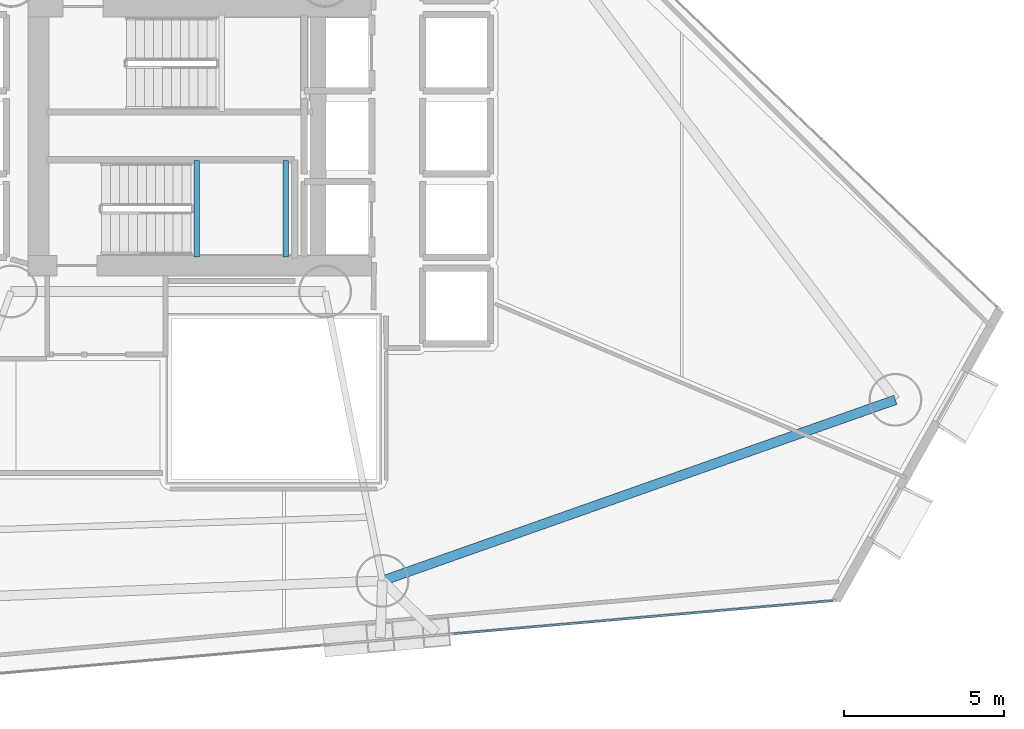
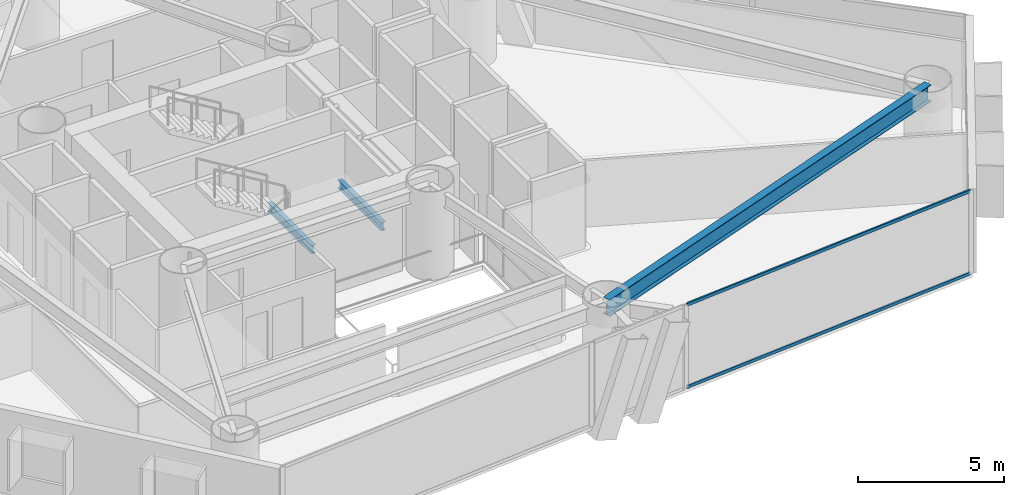
# One storey, part 7 of 23: 3 beams, 2 members, 1 element without a shape of its own.
"""IFC4 building model written with IfcOpenShell, lengths in metres."""

from ifc_helpers import new_model, si_unit, direction, frame, origin, origin_2d, place, context, subcontext, project, spatial, hollow_rectangle, i_section, extrude, material, layer, layer_set, material_profile, profile_set, type_object, element, aggregate, save


model = new_model("IFC4")

# Units and contexts
model_context = context("Model", 3, precision=1e-05, world=origin(), true_north=direction((0.0, 1.0)))
body_context = subcontext(model_context, "Body", "Model", "MODEL_VIEW")
ifc_project = project(units=[si_unit("LENGTHUNIT", "METRE"), si_unit("AREAUNIT", "SQUARE_METRE"), si_unit("VOLUMEUNIT", "CUBIC_METRE"), si_unit("PLANEANGLEUNIT", "RADIAN"), si_unit("MASSUNIT", "GRAM", prefix="KILO")], contexts=[model_context])

# Site, building, storey
site_placement = place(None, origin())
site = spatial("IfcSite", under=ifc_project, at=site_placement, CompositionType="ELEMENT")
building_placement = place(site_placement, origin())
building = spatial("IfcBuilding", under=site, at=building_placement, Name="Qianvela Tower", CompositionType="ELEMENT")
storey_placement = place(building_placement, frame((0.0, 0.0, 63.60009765625)))
storey = spatial("IfcBuildingStorey", under=building, at=storey_placement, Name="L15", CompositionType="ELEMENT", Elevation=63.60009765625)

# Beams
ifc_material_1 = material(Name="Steel Q355B", Category="steel")
ifc_material_profile_1 = material_profile(ifc_material_1, i_section(OverallWidth=0.175048828125, OverallDepth=0.35009765625, WebThickness=0.007080078125, FlangeThickness=0.010986328125, at=origin_2d()), Name="HN350x175x7x11")
ifc_profile_set_1 = profile_set([ifc_material_profile_1], Name="Steel Q355B")
beam_type_1 = type_object("IfcBeamType", Name="BM-HN350-JOIST", PredefinedType="JOIST", material=ifc_profile_set_1)
for number, where, z_axis, x_axis, name in (
    (1, (34.39990234375, 24.919921875, 1.474853515625), (0.0, 1.0, 0.0), (-1.0, 0.0, 0.0), "L15 Stair ST-2 Landing Support Beam 1.1"),
    (2, (37.169921875, 24.919921875, 1.474853515625), (0.0, 1.0, 0.0), (-1.0, 0.0, 0.0), "L15 Stair ST-2 Landing Support Beam 1.2"),
):
    element("IfcBeam", number, at=place(storey_placement, frame(where, z_axis=z_axis, x_axis=x_axis)), inside=storey, type_object=beam_type_1, Name=name, PredefinedType="JOIST", context=body_context, shape_type="SweptSolid", body=[
        extrude(i_section(OverallWidth=0.175048828125, OverallDepth=0.35009765625, WebThickness=0.007080078125, FlangeThickness=0.010986328125, at=origin_2d()), origin(), (0.0, 0.0, 1.0), 3.02001953125),
    ])
ifc_material_2 = material(Name="Steel Q355B", Category="steel")
ifc_material_profile_2 = material_profile(ifc_material_2, i_section(OverallWidth=0.300048828125, OverallDepth=0.699951171875, WebThickness=0.012939453125, FlangeThickness=0.02392578125, at=origin_2d()), Name="HN700x300x13x24")
ifc_profile_set_2 = profile_set([ifc_material_profile_2], Name="Steel Q355B")
beam_type_2 = type_object("IfcBeamType", Name="BM-HN700-SPAND", PredefinedType="SPANDREL", material=ifc_profile_set_2)
beam_placement = place(storey_placement, frame((40.18896484375, 14.819091796875, 3.16796875), z_axis=(0.943021125648, 0.332732860687, 0.0), x_axis=(-0.332732860687, 0.943021125648, 0.0)))
element("IfcBeam", 3, at=beam_placement, inside=storey, type_object=beam_type_2, Name="L15 Perimeter Ring Spandrel Girder 6", PredefinedType="SPANDREL", context=body_context, shape_type="SweptSolid", body=[
    extrude(i_section(OverallWidth=0.300048828125, OverallDepth=0.699951171875, WebThickness=0.012939453125, FlangeThickness=0.02392578125, at=origin_2d()), origin(), (0.0, 0.0, 1.0), 16.977294921875),
])

# Curtain wall, members
ifc_material_3 = material(Name="Anodised Architectural Aluminium and Low-E Glass", Category="aluminium")
ifc_layer = layer(ifc_material_3, 0.179931640625)
ifc_layer_set = layer_set([ifc_layer], Name="Anodised Architectural Aluminium and Low-E Glass")
curtain_wall_type = type_object("IfcCurtainWallType", Name="CW-COLIV-Z12", PredefinedType="USERDEFINED", material=ifc_layer_set)
curtain_wall_placement = place(storey_placement, origin())
curtain_wall = element("IfcCurtainWall", 4, at=curtain_wall_placement, inside=storey, type_object=curtain_wall_type, Name="L15 CW-COLIV-Z12 Curtain Wall 06C", ObjectType="CURTAIN_WALL_SYSTEM", PredefinedType="USERDEFINED")
ifc_material_4 = material(Name="Anodised Architectural Aluminium 6063-T6", Category="aluminium")
ifc_material_profile_3 = material_profile(ifc_material_4, hollow_rectangle(XDim=0.06494140625, YDim=0.1298828125, WallThickness=0.00439453125, at=origin_2d()), Name="ALU-TRAN-65x130")
ifc_profile_set_3 = profile_set([ifc_material_profile_3], Name="Anodised Architectural Aluminium 6063-T6")
member_type = type_object("IfcMemberType", Name="CW-COLIV-Z12-TRAN", PredefinedType="USERDEFINED", material=ifc_profile_set_3)
member_1_placement = place(storey_placement, frame((42.418701171875, 13.16552734375, 0.032470703125), z_axis=(0.996205299771, 0.087034479997, 0.0), x_axis=(-0.087034479997, 0.996205299771, 0.0)))
member_1 = element("IfcMember", 5, at=member_1_placement, type_object=member_type, Name="CW-3 transom 1.1", ObjectType="TRANSOM", PredefinedType="USERDEFINED", context=body_context, shape_type="SweptSolid", body=[
    extrude(hollow_rectangle(XDim=0.06494140625, YDim=0.1298828125, WallThickness=0.00439453125, at=origin_2d()), origin(), (0.0, 0.0, 1.0), 11.865478515625),
])
member_2_placement = place(storey_placement, frame((42.418701171875, 13.16552734375, 3.4873046875), z_axis=(0.996205299771, 0.087034479997, 0.0), x_axis=(-0.087034479997, 0.996205299771, 0.0)))
member_2 = element("IfcMember", 6, at=member_2_placement, type_object=member_type, Name="CW-3 transom 1.2", ObjectType="TRANSOM", PredefinedType="USERDEFINED", context=body_context, shape_type="SweptSolid", body=[
    extrude(hollow_rectangle(XDim=0.06494140625, YDim=0.1298828125, WallThickness=0.00439453125, at=origin_2d()), origin(), (0.0, 0.0, 1.0), 11.865478515625),
])
aggregate(curtain_wall, [member_1, member_2])

save(model, "model.ifc")
